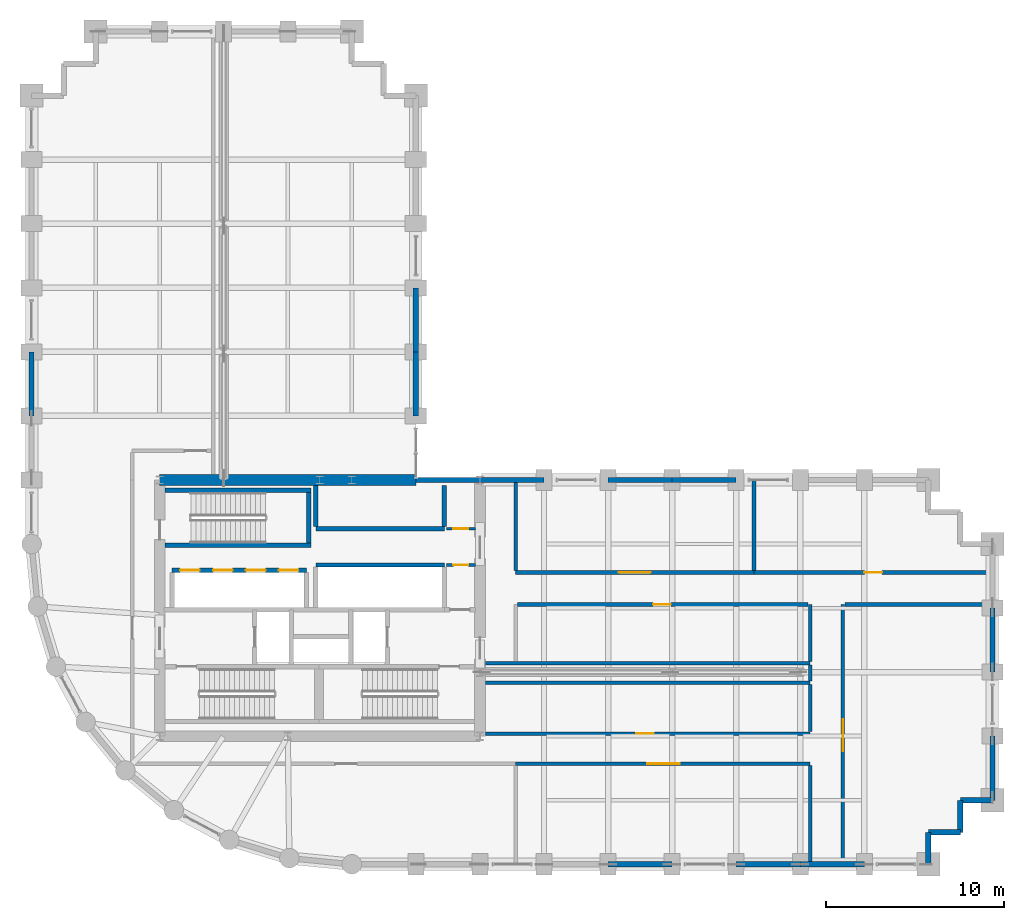
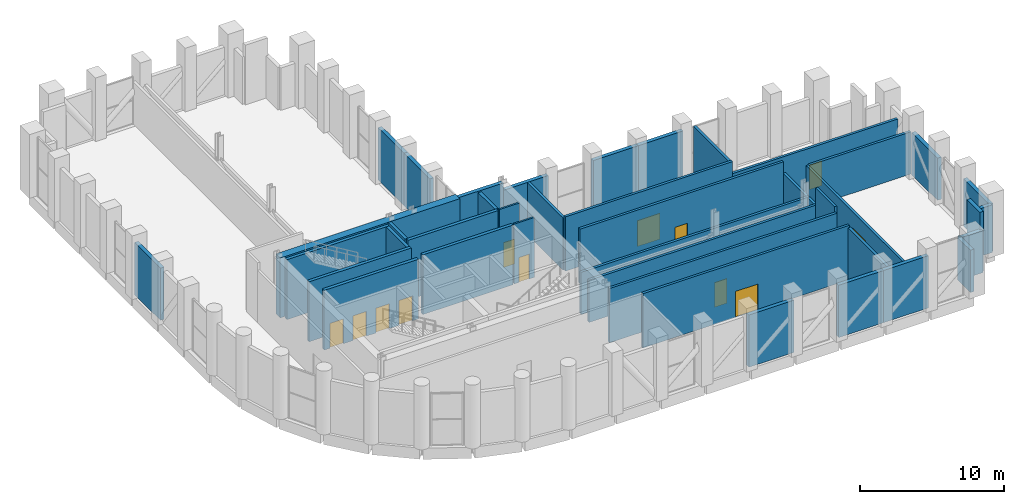
# One storey, part 25 of 27: 42 walls, 12 doors, 12 openings.
"""IFC4 building model written with IfcOpenShell, lengths in metres."""

from ifc_helpers import new_model, si_unit, direction, frame, frame_2d, origin, place, context, subcontext, project, spatial, rectangle, extrude, material, layer, layer_set, type_object, element, fill, save


model = new_model("IFC4")

# Units and contexts
model_context = context("Model", 3, precision=1e-05, world=origin(), true_north=direction((0.0, 1.0)))
body_context = subcontext(model_context, "Body", "Model", "MODEL_VIEW")
ifc_project = project(units=[si_unit("LENGTHUNIT", "METRE"), si_unit("AREAUNIT", "SQUARE_METRE"), si_unit("VOLUMEUNIT", "CUBIC_METRE"), si_unit("PLANEANGLEUNIT", "RADIAN"), si_unit("MASSUNIT", "GRAM", prefix="KILO")], contexts=[model_context])

# Site, building, storey
site_placement = place(None, origin())
site = spatial("IfcSite", under=ifc_project, at=site_placement, CompositionType="ELEMENT")
building_placement = place(site_placement, origin())
building = spatial("IfcBuilding", under=site, at=building_placement, Name="Solnavia Interchange Tower", CompositionType="ELEMENT")
storey_placement = place(building_placement, frame((0.0, 0.0, 74.699951171875)))
storey = spatial("IfcBuildingStorey", under=building, at=storey_placement, Name="L18", CompositionType="ELEMENT", Elevation=74.699951171875)

# Walls
ifc_material_1 = material(Name="Concrete C40/50", Category="concrete")
ifc_layer_1 = layer(ifc_material_1, 0.300048828125)
ifc_layer_set_1 = layer_set([ifc_layer_1], Name="Concrete C40/50")
wall_type_1 = type_object("IfcWallType", Name="Wall-ExtSpandrel-300", PredefinedType="STANDARD", material=ifc_layer_set_1)
for number, where, z_axis, x_axis, name in (
    (1, (43.199951171875, 3.60009765625, 0.0), (0.0, 0.0, 1.0), (-1.0, 0.0, 0.0), "EXW-L18-05 Exterior precast spandrel wall"),
    (2, (50.39990234375, 3.60009765625, 0.0), (0.0, 0.0, 1.0), (-1.0, 0.0, 0.0), "EXW-L18-07 Exterior precast spandrel wall"),
):
    element("IfcWall", number, at=place(storey_placement, frame(where, z_axis=z_axis, x_axis=x_axis)), inside=storey, type_object=wall_type_1, Name=name, PredefinedType="STANDARD", context=body_context, shape_type="SweptSolid", body=[
        extrude(rectangle(XDim=3.599853515625, YDim=0.300048828125, at=frame_2d((1.7998046875, 0.0))), origin(), (0.0, 0.0, 1.0), 4.429931640625),
    ])
wall_1_placement = place(storey_placement, frame((54.0, 3.60009765625, 0.0), z_axis=(0.0, 0.0, 1.0), x_axis=(-1.0, 0.0, 0.0)))
element("IfcWall", 3, at=wall_1_placement, inside=storey, type_object=wall_type_1, Name="EXW-L18-08 Exterior precast spandrel wall", PredefinedType="STANDARD", context=body_context, shape_type="SweptSolid", body=[
    extrude(rectangle(XDim=3.60009765625, YDim=0.300048828125, at=frame_2d((1.800048828125, 0.0))), origin(), (0.0, 0.0, 1.0), 4.429931640625),
])
for number, where, z_axis, x_axis, name in (
    (4, (57.60009765625, 5.39990234375, 0.0), (0.0, 0.0, 1.0), (0.0, -1.0, 0.0), "EXW-L18-10 Exterior precast spandrel wall"),
    (5, (59.39990234375, 5.39990234375, 0.0), (0.0, 0.0, 1.0), (-1.0, 0.0, 0.0), "EXW-L18-11 Exterior precast spandrel wall"),
):
    element("IfcWall", number, at=place(storey_placement, frame(where, z_axis=z_axis, x_axis=x_axis)), inside=storey, type_object=wall_type_1, Name=name, PredefinedType="STANDARD", context=body_context, shape_type="SweptSolid", body=[
        extrude(rectangle(XDim=1.7998046875, YDim=0.300048828125, at=frame_2d((0.89990234375, 0.0))), origin(), (0.0, 0.0, 1.0), 3.580078125),
    ])
wall_2_placement = place(storey_placement, frame((59.39990234375, 7.199951171875, 0.0), z_axis=(0.0, 0.0, 1.0), x_axis=(0.0, -1.0, 0.0)))
element("IfcWall", 6, at=wall_2_placement, inside=storey, type_object=wall_type_1, Name="EXW-L18-12 Exterior precast spandrel wall", PredefinedType="STANDARD", context=body_context, shape_type="SweptSolid", body=[
    extrude(rectangle(XDim=1.800048828125, YDim=0.300048828125, at=frame_2d((0.89990234375, 0.0))), origin(), (0.0, 0.0, 1.0), 5.06494140625),
])
wall_3_placement = place(storey_placement, frame((61.199951171875, 7.199951171875, 0.0), z_axis=(0.0, 0.0, 1.0), x_axis=(-1.0, 0.0, 0.0)))
element("IfcWall", 7, at=wall_3_placement, inside=storey, type_object=wall_type_1, Name="EXW-L18-13 Exterior precast spandrel wall", PredefinedType="STANDARD", context=body_context, shape_type="SweptSolid", body=[
    extrude(rectangle(XDim=1.800048828125, YDim=0.300048828125, at=frame_2d((0.89990234375, 0.0))), origin(), (0.0, 0.0, 1.0), 4.030029296875),
])
wall_4_placement = place(storey_placement, frame((61.199951171875, 10.800048828125, 0.0), z_axis=(0.0, 0.0, 1.0), x_axis=(0.0, -1.0, 0.0)))
element("IfcWall", 8, at=wall_4_placement, inside=storey, type_object=wall_type_1, Name="EXW-L18-14 Exterior precast spandrel wall", PredefinedType="STANDARD", context=body_context, shape_type="SweptSolid", body=[
    extrude(rectangle(XDim=3.60009765625, YDim=0.300048828125, at=frame_2d((1.800048828125, 0.0))), origin(), (0.0, 0.0, 1.0), 4.030029296875),
])
wall_5_placement = place(storey_placement, frame((61.199951171875, 18.0, 0.0), z_axis=(0.0, 0.0, 1.0), x_axis=(0.0, -1.0, 0.0)))
element("IfcWall", 9, at=wall_5_placement, inside=storey, type_object=wall_type_1, Name="EXW-L18-16 Exterior precast spandrel wall", PredefinedType="STANDARD", context=body_context, shape_type="SweptSolid", body=[
    extrude(rectangle(XDim=3.60009765625, YDim=0.300048828125, at=frame_2d((1.800048828125, 0.0))), origin(), (0.0, 0.0, 1.0), 3.580078125),
])
wall_6_placement = place(storey_placement, frame((43.199951171875, 25.199951171875, 0.0), z_axis=(0.0, 0.0, 1.0), x_axis=(1.0, 0.0, 0.0)))
element("IfcWall", 10, at=wall_6_placement, inside=storey, type_object=wall_type_1, Name="EXW-L18-25 Exterior precast spandrel wall", PredefinedType="STANDARD", context=body_context, shape_type="SweptSolid", body=[
    extrude(rectangle(XDim=3.60009765625, YDim=0.300048828125, at=frame_2d((1.800048828125, 0.0))), origin(), (0.0, 0.0, 1.0), 4.429931640625),
])
wall_7_placement = place(storey_placement, frame((39.60009765625, 25.199951171875, 0.0), z_axis=(0.0, 0.0, 1.0), x_axis=(1.0, 0.0, 0.0)))
element("IfcWall", 11, at=wall_7_placement, inside=storey, type_object=wall_type_1, Name="EXW-L18-26 Exterior precast spandrel wall", PredefinedType="STANDARD", context=body_context, shape_type="SweptSolid", body=[
    extrude(rectangle(XDim=3.599853515625, YDim=0.300048828125, at=frame_2d((1.7998046875, 0.0))), origin(), (0.0, 0.0, 1.0), 4.429931640625),
])
wall_8_placement = place(storey_placement, frame((32.39990234375, 25.199951171875, 0.0), z_axis=(0.0, 0.0, 1.0), x_axis=(1.0, 0.0, 0.0)))
element("IfcWall", 12, at=wall_8_placement, inside=storey, type_object=wall_type_1, Name="EXW-L18-28 Exterior precast spandrel wall", PredefinedType="STANDARD", context=body_context, shape_type="SweptSolid", body=[
    extrude(rectangle(XDim=3.60009765625, YDim=0.300048828125, at=frame_2d((1.800048828125, 0.0))), origin(), (0.0, 0.0, 1.0), 4.429931640625),
])
wall_9_placement = place(storey_placement, frame((28.800048828125, 25.199951171875, 0.0), z_axis=(0.0, 0.0, 1.0), x_axis=(1.0, 0.0, 0.0)))
element("IfcWall", 13, at=wall_9_placement, inside=storey, type_object=wall_type_1, Name="EXW-L18-29 Exterior precast spandrel wall", PredefinedType="STANDARD", context=body_context, shape_type="SweptSolid", body=[
    extrude(rectangle(XDim=3.599853515625, YDim=0.300048828125, at=frame_2d((1.7998046875, 0.0))), origin(), (0.0, 0.0, 1.0), 5.06494140625),
])
wall_10_placement = place(storey_placement, frame((28.800048828125, 28.800048828125, 0.0), z_axis=(0.0, 0.0, 1.0), x_axis=(0.0, 1.0, 0.0)))
element("IfcWall", 14, at=wall_10_placement, inside=storey, type_object=wall_type_1, Name="EXW-L18-31 Exterior precast spandrel wall", PredefinedType="STANDARD", context=body_context, shape_type="SweptSolid", body=[
    extrude(rectangle(XDim=3.599853515625, YDim=0.300048828125, at=frame_2d((1.7998046875, 0.0))), origin(), (0.0, 0.0, 1.0), 4.429931640625),
])
wall_11_placement = place(storey_placement, frame((28.800048828125, 32.39990234375, 0.0), z_axis=(0.0, 0.0, 1.0), x_axis=(0.0, 1.0, 0.0)))
element("IfcWall", 15, at=wall_11_placement, inside=storey, type_object=wall_type_1, Name="EXW-L18-32 Exterior precast spandrel wall", PredefinedType="STANDARD", context=body_context, shape_type="SweptSolid", body=[
    extrude(rectangle(XDim=3.60009765625, YDim=0.300048828125, at=frame_2d((1.800048828125, 0.0))), origin(), (0.0, 0.0, 1.0), 4.429931640625),
])
wall_12_placement = place(storey_placement, frame((7.199951171875, 28.800048828125, 0.0), z_axis=(0.0, 0.0, 1.0), x_axis=(0.0, 1.0, 0.0)))
element("IfcWall", 16, at=wall_12_placement, inside=storey, type_object=wall_type_1, Name="EXW-L18-52 Exterior precast spandrel wall", PredefinedType="STANDARD", context=body_context, shape_type="SweptSolid", body=[
    extrude(rectangle(XDim=3.599853515625, YDim=0.300048828125, at=frame_2d((1.7998046875, 0.0))), origin(), (0.0, 0.0, 1.0), 4.429931640625),
])

# Wall, opening, door
ifc_material_2 = material(Name="Gypsum Plasterboard & Steel Stud", Category="steel")
ifc_layer_2 = layer(ifc_material_2, 0.14990234375)
ifc_layer_set_2 = layer_set([ifc_layer_2], Name="Gypsum Plasterboard & Steel Stud")
wall_type_2 = type_object("IfcWallType", Name="Wall-Partition-150", PredefinedType="PARTITIONING", material=ifc_layer_set_2)
wall_13_placement = place(storey_placement, frame((30.52001953125, 22.4599609375, 0.0), z_axis=(0.0, 0.0, 1.0), x_axis=(1.0, 0.0, 0.0)))
wall_13 = element("IfcWall", 17, at=wall_13_placement, inside=storey, type_object=wall_type_2, Name="CSW-L18-NE-S Core shaft wall", PredefinedType="PARTITIONING", context=body_context, shape_type="SweptSolid", body=[
    extrude(rectangle(XDim=1.6298828125, YDim=0.14990234375, at=frame_2d((0.81494140625, 0.0))), origin(), (0.0, 0.0, 1.0), 5.06494140625),
])
opening_1_placement = place(wall_13_placement, frame((0.3798828125, 0.0, 0.0)))
opening_1 = element("IfcOpeningElement", 18, at=opening_1_placement, cuts=wall_13, Name="Opening DR-10", PredefinedType="OPENING", context=body_context, shape_type="SweptSolid", body=[
    extrude(rectangle(XDim=0.85009765625, YDim=2.10009765625, at=frame_2d((0.425048828125, 1.050048828125))), frame((0.0, 0.0849609375, 0.0), z_axis=(0.0, -1.0, 0.0), x_axis=(1.0, 0.0, 0.0)), (0.0, 0.0, 1.0), 0.169921875),
])
ifc_material_3 = material(Name="Moisture-Resistant Timber Door", Category="wood")
door_type_1 = type_object("IfcDoorType", Name="Door-Bathroom-850x2100", OperationType="SINGLE_SWING_RIGHT", PredefinedType="DOOR", material=ifc_material_3)
door_1_placement = place(opening_1_placement, origin())
door_1 = element("IfcDoor", 19, at=door_1_placement, inside=storey, type_object=door_type_1, Name="DR-L18-CNE1 Core fire door", OperationType="SINGLE_SWING_RIGHT", OverallHeight=2.10009765625, OverallWidth=0.85009765625, PredefinedType="DOOR", context=body_context, shape_type="SweptSolid", body=[
    extrude(rectangle(XDim=0.85009765625, YDim=2.10009765625, at=frame_2d((0.425048828125, 1.050048828125))), frame((0.0, 0.02490234375, 0.0), z_axis=(0.0, -1.0, 0.0), x_axis=(1.0, 0.0, 0.0)), (0.0, 0.0, 1.0), 0.050048828125),
])
fill(opening_1, door_1)

wall_14_placement = place(storey_placement, frame((30.52001953125, 20.419921875, 0.0), z_axis=(0.0, 0.0, 1.0), x_axis=(1.0, 0.0, 0.0)))
wall_14 = element("IfcWall", 20, at=wall_14_placement, inside=storey, type_object=wall_type_2, Name="CSW-L18-SE-N Core shaft wall", PredefinedType="PARTITIONING", context=body_context, shape_type="SweptSolid", body=[
    extrude(rectangle(XDim=1.6298828125, YDim=0.14990234375, at=frame_2d((0.81494140625, 0.0))), origin(), (0.0, 0.0, 1.0), 5.06494140625),
])
opening_2_placement = place(wall_14_placement, frame((0.3798828125, 0.0, 0.0)))
opening_2 = element("IfcOpeningElement", 21, at=opening_2_placement, cuts=wall_14, Name="Opening DR-10", PredefinedType="OPENING", context=body_context, shape_type="SweptSolid", body=[
    extrude(rectangle(XDim=0.85009765625, YDim=2.10009765625, at=frame_2d((0.425048828125, 1.050048828125))), frame((0.0, 0.0849609375, 0.0), z_axis=(0.0, -1.0, 0.0), x_axis=(1.0, 0.0, 0.0)), (0.0, 0.0, 1.0), 0.169921875),
])
door_2_placement = place(opening_2_placement, origin())
door_2 = element("IfcDoor", 22, at=door_2_placement, inside=storey, type_object=door_type_1, Name="DR-L18-CSE1 Core fire door", OperationType="SINGLE_SWING_LEFT", OverallHeight=2.10009765625, OverallWidth=0.85009765625, PredefinedType="DOOR", context=body_context, shape_type="SweptSolid", body=[
    extrude(rectangle(XDim=0.85009765625, YDim=2.10009765625, at=frame_2d((0.425048828125, 1.050048828125))), frame((0.0, 0.02490234375, 0.0), z_axis=(0.0, -1.0, 0.0), x_axis=(1.0, 0.0, 0.0)), (0.0, 0.0, 1.0), 0.050048828125),
])
fill(opening_2, door_2)

# Walls
ifc_layer_3 = layer(ifc_material_1, 0.199951171875)
ifc_layer_set_3 = layer_set([ifc_layer_3], Name="Concrete C40/50")
wall_type_3 = type_object("IfcWallType", Name="Wall-PlantFire-200", PredefinedType="PARTITIONING", material=ifc_layer_set_3)
for number, where, z_axis, x_axis, name in (
    (23, (32.7041015625, 13.800048828125, 0.0), (0.0, 0.0, 1.0), (1.0, 0.0, 0.0), "PTW-L18-06 Interior partition wall"),
    (24, (32.7041015625, 14.89990234375, 0.0), (0.0, 0.0, 1.0), (1.0, 0.0, 0.0), "PTW-L18-07 Interior partition wall"),
):
    element("IfcWall", number, at=place(storey_placement, frame(where, z_axis=z_axis, x_axis=x_axis)), inside=storey, type_object=wall_type_3, Name=name, PredefinedType="PARTITIONING", context=body_context, shape_type="SweptSolid", body=[
        extrude(rectangle(XDim=18.245849609375, YDim=0.199951171875, at=frame_2d((9.123046875, 0.0))), origin(), (0.0, 0.0, 1.0), 3.580078125),
    ])
wall_15_placement = place(storey_placement, frame((50.949951171875, 13.904052734375, 0.0), z_axis=(0.0, 0.0, 1.0), x_axis=(0.0, 1.0, 0.0)))
element("IfcWall", 25, at=wall_15_placement, inside=storey, type_object=wall_type_3, Name="PTW-L18-08 Interior partition wall", PredefinedType="PARTITIONING", context=body_context, shape_type="SweptSolid", body=[
    extrude(rectangle(XDim=0.891845703125, YDim=0.199951171875, at=frame_2d((0.44580078125, 0.0))), origin(), (0.0, 0.0, 1.0), 3.580078125),
])

# Wall, opening, door
wall_16_placement = place(storey_placement, frame((34.39990234375, 9.25, 0.0), z_axis=(0.0, 0.0, 1.0), x_axis=(1.0, 0.0, 0.0)))
wall_16 = element("IfcWall", 26, at=wall_16_placement, inside=storey, type_object=wall_type_3, Name="PTW-L18-11 Interior partition wall", PredefinedType="PARTITIONING", context=body_context, shape_type="SweptSolid", body=[
    extrude(rectangle(XDim=16.550048828125, YDim=0.199951171875, at=frame_2d((8.27490234375, 0.0))), origin(), (0.0, 0.0, 1.0), 4.610107421875),
])
opening_3_placement = place(wall_16_placement, frame((7.4150390625, 0.0, 0.0)))
opening_3 = element("IfcOpeningElement", 27, at=opening_3_placement, cuts=wall_16, Name="Opening DR-05", PredefinedType="OPENING", context=body_context, shape_type="SweptSolid", body=[
    extrude(rectangle(XDim=1.800048828125, YDim=2.199951171875, at=frame_2d((0.89990234375, 1.10009765625))), frame((0.0, 0.10986328125, 0.0), z_axis=(0.0, -1.0, 0.0), x_axis=(1.0, 0.0, 0.0)), (0.0, 0.0, 1.0), 0.219970703125),
])
ifc_material_4 = material(Name="Steel Double Fire Door", Category="steel")
door_type_2 = type_object("IfcDoorType", Name="Door-PlantDouble-1800x2200", OperationType="DOUBLE_DOOR_SINGLE_SWING", PredefinedType="DOOR", material=ifc_material_4)
door_3_placement = place(opening_3_placement, origin())
door_3 = element("IfcDoor", 28, at=door_3_placement, inside=storey, type_object=door_type_2, Name="DR-L18-04 Interior room door", OperationType="DOUBLE_DOOR_SINGLE_SWING", OverallHeight=2.199951171875, OverallWidth=1.800048828125, PredefinedType="DOOR", context=body_context, shape_type="SweptSolid", body=[
    extrude(rectangle(XDim=1.800048828125, YDim=2.199951171875, at=frame_2d((0.89990234375, 1.10009765625))), frame((0.0, 0.02490234375, 0.0), z_axis=(0.0, -1.0, 0.0), x_axis=(1.0, 0.0, 0.0)), (0.0, 0.0, 1.0), 0.050048828125),
])
fill(opening_3, door_3)

# Wall
wall_17_placement = place(storey_placement, frame((50.949951171875, 3.75390625, 0.0), z_axis=(0.0, 0.0, 1.0), x_axis=(0.0, 1.0, 0.0)))
element("IfcWall", 29, at=wall_17_placement, inside=storey, type_object=wall_type_3, Name="PTW-L18-12 Interior partition wall", PredefinedType="PARTITIONING", context=body_context, shape_type="SweptSolid", body=[
    extrude(rectangle(XDim=5.39208984375, YDim=0.199951171875, at=frame_2d((2.696044921875, 0.0))), origin(), (0.0, 0.0, 1.0), 4.429931640625),
])

# Wall, opening, door
wall_18_placement = place(storey_placement, frame((52.800048828125, 3.75390625, 0.0), z_axis=(0.0, 0.0, 1.0), x_axis=(0.0, 1.0, 0.0)))
wall_18 = element("IfcWall", 30, at=wall_18_placement, inside=storey, type_object=wall_type_3, Name="PTW-L18-13 Interior partition wall", PredefinedType="PARTITIONING", context=body_context, shape_type="SweptSolid", body=[
    extrude(rectangle(XDim=14.446044921875, YDim=0.199951171875, at=frame_2d((7.22314453125, 0.0))), origin(), (0.0, 0.0, 1.0), 3.580078125),
])
opening_4_placement = place(wall_18_placement, frame((6.2060546875, 0.0, 0.0)))
opening_4 = element("IfcOpeningElement", 31, at=opening_4_placement, cuts=wall_18, Name="Opening DR-05", PredefinedType="OPENING", context=body_context, shape_type="SweptSolid", body=[
    extrude(rectangle(XDim=1.800048828125, YDim=2.199951171875, at=frame_2d((0.89990234375, 1.10009765625))), frame((0.0, 0.10986328125, 0.0), z_axis=(0.0, -1.0, 0.0), x_axis=(1.0, 0.0, 0.0)), (0.0, 0.0, 1.0), 0.219970703125),
])
door_4_placement = place(opening_4_placement, origin())
door_4 = element("IfcDoor", 32, at=door_4_placement, inside=storey, type_object=door_type_2, Name="DR-L18-05 Interior room door", OperationType="DOUBLE_DOOR_SINGLE_SWING", OverallHeight=2.199951171875, OverallWidth=1.800048828125, PredefinedType="DOOR", context=body_context, shape_type="SweptSolid", body=[
    extrude(rectangle(XDim=1.800048828125, YDim=2.199951171875, at=frame_2d((0.89990234375, 1.10009765625))), frame((0.0, 0.02490234375, 0.0), z_axis=(0.0, -1.0, 0.0), x_axis=(1.0, 0.0, 0.0)), (0.0, 0.0, 1.0), 0.050048828125),
])
fill(opening_4, door_4)

# Walls
wall_19_placement = place(storey_placement, frame((52.904052734375, 18.199951171875, 0.0), z_axis=(0.0, 0.0, 1.0), x_axis=(1.0, 0.0, 0.0)))
element("IfcWall", 33, at=wall_19_placement, inside=storey, type_object=wall_type_3, Name="PTW-L18-14 Interior partition wall", PredefinedType="PARTITIONING", context=body_context, shape_type="SweptSolid", body=[
    extrude(rectangle(XDim=8.141845703125, YDim=0.199951171875, at=frame_2d((4.07080078125, 0.0))), origin(), (0.0, 0.0, 1.0), 3.580078125),
])
wall_20_placement = place(storey_placement, frame((50.949951171875, 15.00390625, 0.0), z_axis=(0.0, 0.0, 1.0), x_axis=(0.0, 1.0, 0.0)))
element("IfcWall", 34, at=wall_20_placement, inside=storey, type_object=wall_type_3, Name="PTW-L18-16 Interior partition wall", PredefinedType="PARTITIONING", context=body_context, shape_type="SweptSolid", body=[
    extrude(rectangle(XDim=3.196044921875, YDim=0.199951171875, at=frame_2d((1.59814453125, 0.0))), origin(), (0.0, 0.0, 1.0), 3.580078125),
])

# Wall, opening, door
wall_21_placement = place(storey_placement, frame((34.50390625, 18.199951171875, 0.0), z_axis=(0.0, 0.0, 1.0), x_axis=(1.0, 0.0, 0.0)))
wall_21 = element("IfcWall", 35, at=wall_21_placement, inside=storey, type_object=wall_type_3, Name="PTW-L18-17 Interior partition wall", PredefinedType="PARTITIONING", context=body_context, shape_type="SweptSolid", body=[
    extrude(rectangle(XDim=16.342041015625, YDim=0.199951171875, at=frame_2d((8.1708984375, 0.0))), origin(), (0.0, 0.0, 1.0), 4.610107421875),
])
opening_5_placement = place(wall_21_placement, frame((7.631103515625, 0.0, 0.0)))
opening_5 = element("IfcOpeningElement", 36, at=opening_5_placement, cuts=wall_21, Name="Opening DR-04", PredefinedType="OPENING", context=body_context, shape_type="SweptSolid", body=[
    extrude(rectangle(XDim=1.0, YDim=2.10009765625, at=frame_2d((0.5, 1.050048828125))), frame((0.0, 0.10986328125, 0.0), z_axis=(0.0, -1.0, 0.0), x_axis=(1.0, 0.0, 0.0)), (0.0, 0.0, 1.0), 0.219970703125),
])
ifc_material_5 = material(Name="Steel Fire-Rated Plant Door", Category="steel")
door_type_3 = type_object("IfcDoorType", Name="Door-PlantFire-1000x2100", OperationType="SINGLE_SWING_LEFT", PredefinedType="DOOR", material=ifc_material_5)
door_5_placement = place(opening_5_placement, origin())
door_5 = element("IfcDoor", 37, at=door_5_placement, inside=storey, type_object=door_type_3, Name="DR-L18-06 Interior room door", OperationType="SINGLE_SWING_LEFT", OverallHeight=2.10009765625, OverallWidth=1.0, PredefinedType="DOOR", context=body_context, shape_type="SweptSolid", body=[
    extrude(rectangle(XDim=1.0, YDim=2.10009765625, at=frame_2d((0.5, 1.050048828125))), frame((0.0, 0.02490234375, 0.0), z_axis=(0.0, -1.0, 0.0), x_axis=(1.0, 0.0, 0.0)), (0.0, 0.0, 1.0), 0.050048828125),
])
fill(opening_5, door_5)

wall_22_placement = place(storey_placement, frame((34.39990234375, 20.0, 0.0), z_axis=(0.0, 0.0, 1.0), x_axis=(1.0, 0.0, 0.0)))
wall_22 = element("IfcWall", 38, at=wall_22_placement, inside=storey, type_object=wall_type_3, Name="PTW-L18-18 Interior partition wall", PredefinedType="PARTITIONING", context=body_context, shape_type="SweptSolid", body=[
    extrude(rectangle(XDim=13.400146484375, YDim=0.199951171875, at=frame_2d((6.7001953125, 0.0))), origin(), (0.0, 0.0, 1.0), 4.610107421875),
])
opening_6_placement = place(wall_22_placement, frame((5.800048828125, 0.0, 0.0)))
opening_6 = element("IfcOpeningElement", 39, at=opening_6_placement, cuts=wall_22, Name="Opening DR-05", PredefinedType="OPENING", context=body_context, shape_type="SweptSolid", body=[
    extrude(rectangle(XDim=1.800048828125, YDim=2.199951171875, at=frame_2d((0.89990234375, 1.10009765625))), frame((0.0, 0.10986328125, 0.0), z_axis=(0.0, -1.0, 0.0), x_axis=(1.0, 0.0, 0.0)), (0.0, 0.0, 1.0), 0.219970703125),
])
door_6_placement = place(opening_6_placement, origin())
door_6 = element("IfcDoor", 40, at=door_6_placement, inside=storey, type_object=door_type_2, Name="DR-L18-07 Interior room door", OperationType="DOUBLE_DOOR_SINGLE_SWING", OverallHeight=2.199951171875, OverallWidth=1.800048828125, PredefinedType="DOOR", context=body_context, shape_type="SweptSolid", body=[
    extrude(rectangle(XDim=1.800048828125, YDim=2.199951171875, at=frame_2d((0.89990234375, 1.10009765625))), frame((0.0, 0.02490234375, 0.0), z_axis=(0.0, -1.0, 0.0), x_axis=(1.0, 0.0, 0.0)), (0.0, 0.0, 1.0), 0.050048828125),
])
fill(opening_6, door_6)

wall_23_placement = place(storey_placement, frame((47.800048828125, 20.0, 0.0), z_axis=(0.0, 0.0, 1.0), x_axis=(1.0, 0.0, 0.0)))
wall_23 = element("IfcWall", 41, at=wall_23_placement, inside=storey, type_object=wall_type_3, Name="PTW-L18-19 Interior partition wall", PredefinedType="PARTITIONING", context=body_context, shape_type="SweptSolid", body=[
    extrude(rectangle(XDim=13.245849609375, YDim=0.199951171875, at=frame_2d((6.623046875, 0.0))), origin(), (0.0, 0.0, 1.0), 3.580078125),
])
opening_7_placement = place(wall_23_placement, frame((6.199951171875, 0.0, 0.0)))
opening_7 = element("IfcOpeningElement", 42, at=opening_7_placement, cuts=wall_23, Name="Opening DR-04", PredefinedType="OPENING", context=body_context, shape_type="SweptSolid", body=[
    extrude(rectangle(XDim=1.0, YDim=2.10009765625, at=frame_2d((0.5, 1.050048828125))), frame((0.0, 0.10986328125, 0.0), z_axis=(0.0, -1.0, 0.0), x_axis=(1.0, 0.0, 0.0)), (0.0, 0.0, 1.0), 0.219970703125),
])
door_7_placement = place(opening_7_placement, origin())
door_7 = element("IfcDoor", 43, at=door_7_placement, inside=storey, type_object=door_type_3, Name="DR-L18-08 Interior room door", OperationType="SINGLE_SWING_RIGHT", OverallHeight=2.10009765625, OverallWidth=1.0, PredefinedType="DOOR", context=body_context, shape_type="SweptSolid", body=[
    extrude(rectangle(XDim=1.0, YDim=2.10009765625, at=frame_2d((0.5, 1.050048828125))), frame((0.0, 0.02490234375, 0.0), z_axis=(0.0, -1.0, 0.0), x_axis=(1.0, 0.0, 0.0)), (0.0, 0.0, 1.0), 0.050048828125),
])
fill(opening_7, door_7)

# Walls
wall_24_placement = place(storey_placement, frame((34.39990234375, 20.10400390625, 0.0), z_axis=(0.0, 0.0, 1.0), x_axis=(0.0, 1.0, 0.0)))
element("IfcWall", 44, at=wall_24_placement, inside=storey, type_object=wall_type_3, Name="PTW-L18-20 Interior partition wall", PredefinedType="PARTITIONING", context=body_context, shape_type="SweptSolid", body=[
    extrude(rectangle(XDim=4.94189453125, YDim=0.199951171875, at=frame_2d((2.470947265625, 0.0))), origin(), (0.0, 0.0, 1.0), 4.429931640625),
])
wall_25_placement = place(storey_placement, frame((47.800048828125, 20.10400390625, 0.0), z_axis=(0.0, 0.0, 1.0), x_axis=(0.0, 1.0, 0.0)))
element("IfcWall", 45, at=wall_25_placement, inside=storey, type_object=wall_type_3, Name="PTW-L18-21 Interior partition wall", PredefinedType="PARTITIONING", context=body_context, shape_type="SweptSolid", body=[
    extrude(rectangle(XDim=5.095947265625, YDim=0.199951171875, at=frame_2d((2.5478515625, 0.0))), origin(), (0.0, 0.0, 1.0), 4.429931640625),
])

# Wall, opening, door
wall_26_placement = place(storey_placement, frame((32.7041015625, 10.949951171875, 0.0), z_axis=(0.0, 0.0, 1.0), x_axis=(1.0, 0.0, 0.0)))
wall_26 = element("IfcWall", 46, at=wall_26_placement, inside=storey, type_object=wall_type_3, Name="PTW-L18-22 Interior partition wall", PredefinedType="PARTITIONING", context=body_context, shape_type="SweptSolid", body=[
    extrude(rectangle(XDim=18.245849609375, YDim=0.199951171875, at=frame_2d((9.123046875, 0.0))), origin(), (0.0, 0.0, 1.0), 4.610107421875),
])
opening_8_placement = place(wall_26_placement, frame((8.470947265625, 0.0, 0.0)))
opening_8 = element("IfcOpeningElement", 47, at=opening_8_placement, cuts=wall_26, Name="Opening DR-04", PredefinedType="OPENING", context=body_context, shape_type="SweptSolid", body=[
    extrude(rectangle(XDim=1.0, YDim=2.10009765625, at=frame_2d((0.5, 1.050048828125))), frame((0.0, 0.10986328125, 0.0), z_axis=(0.0, -1.0, 0.0), x_axis=(1.0, 0.0, 0.0)), (0.0, 0.0, 1.0), 0.219970703125),
])
door_8_placement = place(opening_8_placement, origin())
door_8 = element("IfcDoor", 48, at=door_8_placement, inside=storey, type_object=door_type_3, Name="DR-L18-09 Interior room door", OperationType="SINGLE_SWING_LEFT", OverallHeight=2.10009765625, OverallWidth=1.0, PredefinedType="DOOR", context=body_context, shape_type="SweptSolid", body=[
    extrude(rectangle(XDim=1.0, YDim=2.10009765625, at=frame_2d((0.5, 1.050048828125))), frame((0.0, 0.02490234375, 0.0), z_axis=(0.0, -1.0, 0.0), x_axis=(1.0, 0.0, 0.0)), (0.0, 0.0, 1.0), 0.050048828125),
])
fill(opening_8, door_8)

# Walls
wall_27_placement = place(storey_placement, frame((50.949951171875, 11.053955078125, 0.0), z_axis=(0.0, 0.0, 1.0), x_axis=(0.0, 1.0, 0.0)))
element("IfcWall", 49, at=wall_27_placement, inside=storey, type_object=wall_type_3, Name="PTW-L18-23 Interior partition wall", PredefinedType="PARTITIONING", context=body_context, shape_type="SweptSolid", body=[
    extrude(rectangle(XDim=2.64208984375, YDim=0.199951171875, at=frame_2d((1.321044921875, 0.0))), origin(), (0.0, 0.0, 1.0), 5.06494140625),
])
ifc_layer_4 = layer(ifc_material_1, 0.25)
ifc_layer_set_4 = layer_set([ifc_layer_4], Name="Concrete C40/50")
wall_type_4 = type_object("IfcWallType", Name="Wall-ShaftCore-250", PredefinedType="SHEAR", material=ifc_layer_set_4)
for number, where, z_axis, x_axis, name in (
    (50, (14.699951171875, 21.52490234375, 0.0), (0.0, 0.0, 1.0), (1.0, 0.0, 0.0), "SHW-L18-ST3S Core shear wall"),
    (51, (14.699951171875, 24.614990234375, 0.0), (0.0, 0.0, 1.0), (1.0, 0.0, 0.0), "SHW-L18-ST3N Core shear wall"),
):
    element("IfcWall", number, at=place(storey_placement, frame(where, z_axis=z_axis, x_axis=x_axis)), inside=storey, type_object=wall_type_4, Name=name, PredefinedType="SHEAR", context=body_context, shape_type="SweptSolid", body=[
        extrude(rectangle(XDim=8.199951171875, YDim=0.25, at=frame_2d((4.10009765625, 0.0))), origin(), (0.0, 0.0, 1.0), 5.080078125),
    ])
wall_28_placement = place(storey_placement, frame((22.77490234375, 21.64990234375, 0.0), z_axis=(0.0, 0.0, 1.0), x_axis=(0.0, 1.0, 0.0)))
element("IfcWall", 52, at=wall_28_placement, inside=storey, type_object=wall_type_4, Name="SHW-L18-ST3E Core shear wall", PredefinedType="SHEAR", context=body_context, shape_type="SweptSolid", body=[
    extrude(rectangle(XDim=2.840087890625, YDim=0.25, at=frame_2d((1.419921875, 0.0))), origin(), (0.0, 0.0, 1.0), 5.080078125),
])

# Wall, openings, doors
ifc_layer_5 = layer(ifc_material_1, 0.25)
ifc_layer_set_5 = layer_set([ifc_layer_5], Name="Concrete C40/50")
wall_type_5 = type_object("IfcWallType", Name="Wall-ShaftPart-250", PredefinedType="PARTITIONING", material=ifc_layer_set_5)
wall_29_placement = place(storey_placement, frame((15.10009765625, 20.125, 0.0), z_axis=(0.0, 0.0, 1.0), x_axis=(1.0, 0.0, 0.0)))
wall_29 = element("IfcWall", 53, at=wall_29_placement, inside=storey, type_object=wall_type_5, Name="SHW-L18-B1N Core shaft wall", PredefinedType="PARTITIONING", context=body_context, shape_type="SweptSolid", body=[
    extrude(rectangle(XDim=7.5498046875, YDim=0.25, at=frame_2d((3.77490234375, 0.0))), origin(), (0.0, 0.0, 1.0), 5.06494140625),
])
opening_9_placement = place(wall_29_placement, frame((0.449951171875, 0.0, 0.0)))
opening_9 = element("IfcOpeningElement", 54, at=opening_9_placement, cuts=wall_29, Name="Opening LD-01", PredefinedType="OPENING", context=body_context, shape_type="SweptSolid", body=[
    extrude(rectangle(XDim=1.10009765625, YDim=2.10009765625, at=frame_2d((0.550048828125, 1.050048828125))), frame((0.0, 0.135009765625, 0.0), z_axis=(0.0, -1.0, 0.0), x_axis=(1.0, 0.0, 0.0)), (0.0, 0.0, 1.0), 0.27001953125),
])
opening_10_placement = place(wall_29_placement, frame((2.300048828125, 0.0, 0.0)))
opening_10 = element("IfcOpeningElement", 55, at=opening_10_placement, cuts=wall_29, Name="Opening LD-01", PredefinedType="OPENING", context=body_context, shape_type="SweptSolid", body=[
    extrude(rectangle(XDim=1.10009765625, YDim=2.10009765625, at=frame_2d((0.550048828125, 1.050048828125))), frame((0.0, 0.135009765625, 0.0), z_axis=(0.0, -1.0, 0.0), x_axis=(1.0, 0.0, 0.0)), (0.0, 0.0, 1.0), 0.27001953125),
])
opening_11_placement = place(wall_29_placement, frame((4.14990234375, 0.0, 0.0)))
opening_11 = element("IfcOpeningElement", 56, at=opening_11_placement, cuts=wall_29, Name="Opening LD-01", PredefinedType="OPENING", context=body_context, shape_type="SweptSolid", body=[
    extrude(rectangle(XDim=1.10009765625, YDim=2.10009765625, at=frame_2d((0.550048828125, 1.050048828125))), frame((0.0, 0.135009765625, 0.0), z_axis=(0.0, -1.0, 0.0), x_axis=(1.0, 0.0, 0.0)), (0.0, 0.0, 1.0), 0.27001953125),
])
opening_12_placement = place(wall_29_placement, frame((6.0, 0.0, 0.0)))
opening_12 = element("IfcOpeningElement", 57, at=opening_12_placement, cuts=wall_29, Name="Opening LD-01", PredefinedType="OPENING", context=body_context, shape_type="SweptSolid", body=[
    extrude(rectangle(XDim=1.10009765625, YDim=2.10009765625, at=frame_2d((0.550048828125, 1.050048828125))), frame((0.0, 0.135009765625, 0.0), z_axis=(0.0, -1.0, 0.0), x_axis=(1.0, 0.0, 0.0)), (0.0, 0.0, 1.0), 0.27001953125),
])
ifc_material_6 = material(Name="Brushed Stainless Steel Sliding Door", Category="steel")
door_type_4 = type_object("IfcDoorType", Name="Door-LiftLanding-1100x2100", OperationType="SLIDING_TO_LEFT", PredefinedType="DOOR", material=ifc_material_6)
door_9_placement = place(opening_9_placement, origin())
door_9 = element("IfcDoor", 58, at=door_9_placement, inside=storey, type_object=door_type_4, Name="LD-L18-B1-1 Lift landing sliding door", OperationType="SLIDING_TO_LEFT", OverallHeight=2.10009765625, OverallWidth=1.10009765625, PredefinedType="DOOR", context=body_context, shape_type="SweptSolid", body=[
    extrude(rectangle(XDim=1.10009765625, YDim=2.10009765625, at=frame_2d((0.550048828125, 1.050048828125))), frame((0.0, 0.02490234375, 0.0), z_axis=(0.0, -1.0, 0.0), x_axis=(1.0, 0.0, 0.0)), (0.0, 0.0, 1.0), 0.050048828125),
])
fill(opening_9, door_9)
door_10_placement = place(opening_10_placement, origin())
door_10 = element("IfcDoor", 59, at=door_10_placement, inside=storey, type_object=door_type_4, Name="LD-L18-B1-2 Lift landing sliding door", OperationType="SLIDING_TO_LEFT", OverallHeight=2.10009765625, OverallWidth=1.10009765625, PredefinedType="DOOR", context=body_context, shape_type="SweptSolid", body=[
    extrude(rectangle(XDim=1.10009765625, YDim=2.10009765625, at=frame_2d((0.550048828125, 1.050048828125))), frame((0.0, 0.02490234375, 0.0), z_axis=(0.0, -1.0, 0.0), x_axis=(1.0, 0.0, 0.0)), (0.0, 0.0, 1.0), 0.050048828125),
])
fill(opening_10, door_10)
door_11_placement = place(opening_11_placement, origin())
door_11 = element("IfcDoor", 60, at=door_11_placement, inside=storey, type_object=door_type_4, Name="LD-L18-B1-3 Lift landing sliding door", OperationType="SLIDING_TO_LEFT", OverallHeight=2.10009765625, OverallWidth=1.10009765625, PredefinedType="DOOR", context=body_context, shape_type="SweptSolid", body=[
    extrude(rectangle(XDim=1.10009765625, YDim=2.10009765625, at=frame_2d((0.550048828125, 1.050048828125))), frame((0.0, 0.02490234375, 0.0), z_axis=(0.0, -1.0, 0.0), x_axis=(1.0, 0.0, 0.0)), (0.0, 0.0, 1.0), 0.050048828125),
])
fill(opening_11, door_11)
door_12_placement = place(opening_12_placement, origin())
door_12 = element("IfcDoor", 61, at=door_12_placement, inside=storey, type_object=door_type_4, Name="LD-L18-B1-4 Lift landing sliding door", OperationType="SLIDING_TO_LEFT", OverallHeight=2.10009765625, OverallWidth=1.10009765625, PredefinedType="DOOR", context=body_context, shape_type="SweptSolid", body=[
    extrude(rectangle(XDim=1.10009765625, YDim=2.10009765625, at=frame_2d((0.550048828125, 1.050048828125))), frame((0.0, 0.02490234375, 0.0), z_axis=(0.0, -1.0, 0.0), x_axis=(1.0, 0.0, 0.0)), (0.0, 0.0, 1.0), 0.050048828125),
])
fill(opening_12, door_12)

# Walls
for number, where, z_axis, x_axis, name in (
    (62, (23.179931640625, 20.419921875, 0.0), (0.0, 0.0, 1.0), (1.0, 0.0, 0.0), "SHW-L18-B2N Core shaft wall"),
    (63, (23.179931640625, 22.4599609375, 0.0), (0.0, 0.0, 1.0), (1.0, 0.0, 0.0), "SHW-L18-B3S Core shaft wall"),
):
    element("IfcWall", number, at=place(storey_placement, frame(where, z_axis=z_axis, x_axis=x_axis)), inside=storey, type_object=wall_type_5, Name=name, PredefinedType="PARTITIONING", context=body_context, shape_type="SweptSolid", body=[
        extrude(rectangle(XDim=7.219970703125, YDim=0.25, at=frame_2d((3.60986328125, 0.0))), origin(), (0.0, 0.0, 1.0), 5.06494140625),
    ])
for number, where, z_axis, x_axis, name in (
    (64, (23.179931640625, 22.5849609375, 0.0), (0.0, 0.0, 1.0), (0.0, 1.0, 0.0), "SHW-L18-B3W Core shaft wall"),
    (65, (30.39990234375, 22.5849609375, 0.0), (0.0, 0.0, 1.0), (0.0, 1.0, 0.0), "SHW-L18-B3E Core shaft wall"),
):
    element("IfcWall", number, at=place(storey_placement, frame(where, z_axis=z_axis, x_axis=x_axis)), inside=storey, type_object=wall_type_5, Name=name, PredefinedType="PARTITIONING", context=body_context, shape_type="SweptSolid", body=[
        extrude(rectangle(XDim=2.31494140625, YDim=0.25, at=frame_2d((1.157470703125, 0.0))), origin(), (0.0, 0.0, 1.0), 5.06494140625),
    ])
ifc_material_7 = material(Name="Concrete C60/75", Category="concrete")
ifc_layer_6 = layer(ifc_material_7, 0.60009765625)
ifc_layer_set_6 = layer_set([ifc_layer_6], Name="Concrete C60/75")
wall_type_6 = type_object("IfcWallType", Name="Wall-ShearCore-600", PredefinedType="SHEAR", material=ifc_layer_set_6)
wall_30_placement = place(storey_placement, frame((14.39990234375, 25.199951171875, 0.0), z_axis=(0.0, 0.0, 1.0), x_axis=(1.0, 0.0, 0.0)))
element("IfcWall", 66, at=wall_30_placement, inside=storey, type_object=wall_type_6, Name="CRW-L18-N Core shear wall", PredefinedType="SHEAR", context=body_context, shape_type="SweptSolid", body=[
    extrude(rectangle(XDim=14.400146484375, YDim=0.60009765625, at=frame_2d((7.2001953125, 0.0))), origin(), (0.0, 0.0, 1.0), 5.080078125),
])

save(model, "model.ifc")
